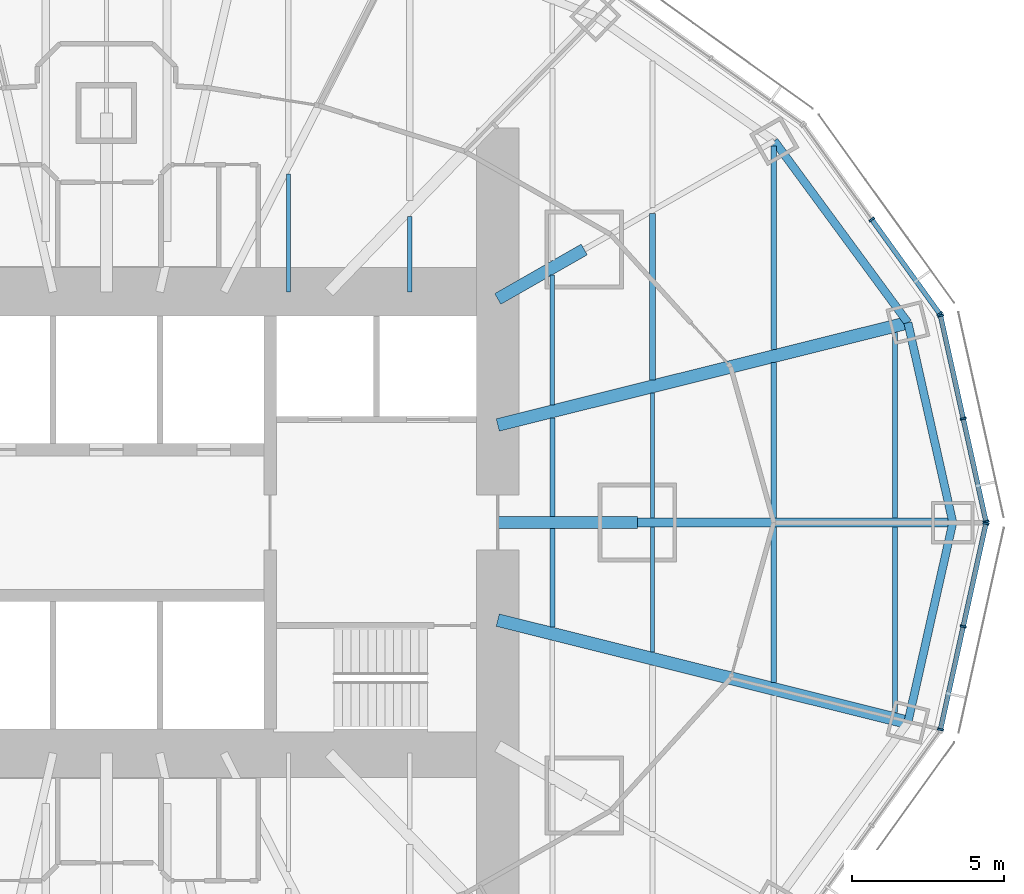
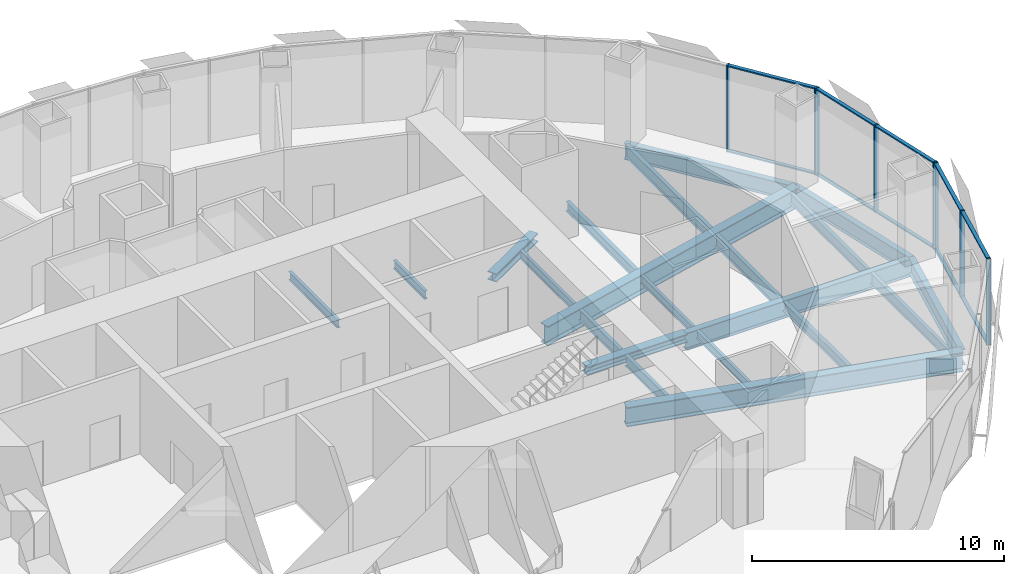
# One storey, part 6 of 18: 21 beams, 18 members, 3 elements without a shape of their own.
"""IFC4 building model written with IfcOpenShell, lengths in metres."""

import ifcopenshell
import ifcopenshell.guid

model = None  # the IFC model being written
_history = None  # IfcOwnerHistory: only IFC2X3 demands one
_inside = {}  # id of a spatial element -> (the spatial element, [elements in it])
_under = {}  # id of a project, library or spatial element -> (it, [spatial elements below it])
_declared = {}  # id of a project -> (the project, [libraries it declares])
_typed = {}  # id of a type object -> (the type object, [elements of that type])
_made_of = {}  # id of a material, layer set ... -> (it, [elements and type objects made of it])


def new_model(schema):
    """Start an empty IFC model of exactly this schema.

    Asked for "IFC4X3", IfcOpenShell would pick the latest addendum, in which some entities
    have other attributes; the version numbers below select the first issue.
    IFC2X3 requires an IfcOwnerHistory on every rooted entity: one is made here for all.
    """
    global model, _history
    if schema == "IFC4X3":
        model = ifcopenshell.file(schema_version=(4, 3, 0, 0))
    else:
        model = ifcopenshell.file(schema=schema)
    _inside.clear()
    _under.clear()
    _declared.clear()
    _typed.clear()
    _made_of.clear()
    _history = None
    if model.schema == "IFC2X3":
        org = make("IfcOrganization", Name="unknown")
        user = make(
            "IfcPersonAndOrganization",
            ThePerson=make("IfcPerson", FamilyName="unknown"),
            TheOrganization=org,
        )
        app = make(
            "IfcApplication",
            ApplicationDeveloper=org,
            Version="unknown",
            ApplicationFullName="unknown",
            ApplicationIdentifier="unknown",
        )
        _history = make(
            "IfcOwnerHistory",
            OwningUser=user,
            OwningApplication=app,
            ChangeAction="ADDED",
            CreationDate=0,
        )
    return model


def make(cls, **values):
    """One entity of the class cls with the attributes given. An attribute that is None is left unset."""
    return model.create_entity(
        cls, **{name: value for name, value in values.items() if value is not None}
    )


def rooted(cls, **values):
    """An entity with a GlobalId (a new one), such as an element, a storey or a relation."""
    return make(cls, GlobalId=ifcopenshell.guid.new(), OwnerHistory=_history, **values)


def si_unit(unit_type, name, prefix=None):
    """IfcSIUnit, for example si_unit("LENGTHUNIT", "METRE", prefix="MILLI")."""
    return make("IfcSIUnit", UnitType=unit_type, Prefix=prefix, Name=name)


def assignment(units):
    """IfcUnitAssignment: the units of a project."""
    return None if units is None else make("IfcUnitAssignment", Units=units)


def point(xyz):
    """IfcCartesianPoint."""
    return None if xyz is None else make("IfcCartesianPoint", Coordinates=xyz)


def direction(xyz):
    """IfcDirection."""
    return None if xyz is None else make("IfcDirection", DirectionRatios=xyz)


def frame(location, z_axis=None, x_axis=None):
    """IfcAxis2Placement3D, a coordinate frame: its origin and axes. An axis left out is left unset."""
    return make(
        "IfcAxis2Placement3D",
        Location=point(location),
        Axis=direction(z_axis),
        RefDirection=direction(x_axis),
    )


def frame_2d(location, x_axis=None):
    """IfcAxis2Placement2D, a coordinate frame in the plane: its origin and x axis."""
    return make(
        "IfcAxis2Placement2D", Location=point(location), RefDirection=direction(x_axis)
    )


def origin():
    """The frame at (0, 0, 0) with its axes left unset."""
    return frame((0.0, 0.0, 0.0))


def origin_2d():
    """The frame at (0, 0) in the plane with its x axis left unset."""
    return frame_2d((0.0, 0.0))


def place(relative_to, where):
    """IfcLocalPlacement: puts the frame where relative to a parent placement (None: the world)."""
    return make(
        "IfcLocalPlacement", PlacementRelTo=relative_to, RelativePlacement=where
    )


def context(
    kind, dimensions, precision=None, world=None, true_north=None, identifier=None
):
    """IfcGeometricRepresentationContext, for example the 3D "Model" context."""
    return make(
        "IfcGeometricRepresentationContext",
        ContextIdentifier=identifier,
        ContextType=kind,
        CoordinateSpaceDimension=dimensions,
        Precision=precision,
        WorldCoordinateSystem=world,
        TrueNorth=true_north,
    )


def subcontext(parent, identifier, kind, view, scale=None):
    """IfcGeometricRepresentationSubContext, for example "Body" below "Model"."""
    return make(
        "IfcGeometricRepresentationSubContext",
        ContextIdentifier=identifier,
        ContextType=kind,
        ParentContext=parent,
        TargetScale=scale,
        TargetView=view,
    )


def project(units=None, contexts=None):
    """IfcProject with its units and contexts."""
    return rooted(
        "IfcProject",
        Name="project",
        RepresentationContexts=contexts,
        UnitsInContext=assignment(units),
    )


def spatial(cls, under=None, at=None, **own):
    """A site, building, storey or space (cls), placed at a placement, below another one or the project."""
    s = rooted(cls, ObjectPlacement=at, **own)
    if under is not None:
        _under.setdefault(under.id(), (under, []))[1].append(s)
    return s


def profile(cls, at=None, kind="AREA", **sizes):
    """A parametric profile (cls). Its sizes go by their IFC names, for example OverallWidth=200.0."""
    return make(cls, ProfileType=kind, Position=at, **sizes)


def rectangle(**sizes):
    """IfcRectangleProfileDef."""
    return profile("IfcRectangleProfileDef", **sizes)


def i_section(**sizes):
    """IfcIShapeProfileDef."""
    return profile("IfcIShapeProfileDef", **sizes)


def extrude(swept, where, along, depth):
    """IfcExtrudedAreaSolid: the profile swept, set in the frame where, extruded along a direction by depth."""
    return make(
        "IfcExtrudedAreaSolid",
        SweptArea=swept,
        Position=where,
        ExtrudedDirection=direction(along),
        Depth=depth,
    )


def shape(context_of_items, identifier, shape_type, items):
    """IfcShapeRepresentation: the items that make up one representation, for example the "Body"."""
    return make(
        "IfcShapeRepresentation",
        ContextOfItems=context_of_items,
        RepresentationIdentifier=identifier,
        RepresentationType=shape_type,
        Items=items,
    )


def material(Name=None, Category=None):
    """IfcMaterial."""
    return make("IfcMaterial", Name=Name, Category=Category)


def material_profile(
    of_material, cross_section, Name=None, Category=None, Priority=None
):
    """IfcMaterialProfile: a cross section and its material."""
    return make(
        "IfcMaterialProfile",
        Name=Name,
        Material=of_material,
        Profile=cross_section,
        Priority=Priority,
        Category=Category,
    )


def profile_set(profiles, Name=None, composite=None):
    """IfcMaterialProfileSet."""
    return make(
        "IfcMaterialProfileSet",
        Name=Name,
        MaterialProfiles=profiles,
        CompositeProfile=composite,
    )


def made_of(thing, what):
    """Note that an element or type object is made of a material, layer set ...; save() writes the relation."""
    if what is not None:
        _made_of.setdefault(what.id(), (what, []))[1].append(thing)
    return thing


def type_object(cls, material=None, **own):
    """A type object (cls), such as IfcWallType, which elements share."""
    return made_of(rooted(cls, **own), material)


def element(
    cls,
    number,
    at=None,
    inside=None,
    cuts=None,
    type_object=None,
    material=None,
    context=None,
    identifier="Body",
    shape_type=None,
    held_by="IfcProductDefinitionShape",
    body=None,
    shapes=None,
    **own,
):
    """One element of the class cls, such as IfcWall. Its Tag is "e" and its number.

    at: its placement. inside: the storey or other place that contains it. cuts: it is an
    opening in that element (IfcRelVoidsElement). A single representation is given by context,
    identifier, shape_type and body (its items); several are given by shapes. held_by: the class
    of the entity that holds the representations. save() writes the other relations.
    """
    e = rooted(cls, Tag="e%d" % number, ObjectPlacement=at, **own)
    if body is not None:
        shapes = [shape(context, identifier, shape_type, body)]
    if shapes is not None:
        e.Representation = make(held_by, Representations=shapes)
    if inside is not None:
        _inside.setdefault(inside.id(), (inside, []))[1].append(e)
    if cuts is not None:
        rooted(
            "IfcRelVoidsElement", RelatingBuildingElement=cuts, RelatedOpeningElement=e
        )
    if type_object is not None:
        _typed.setdefault(type_object.id(), (type_object, []))[1].append(e)
    return made_of(e, material)


def aggregate(whole, parts):
    """IfcRelAggregates: a whole, such as a stair, and the parts it consists of."""
    return rooted("IfcRelAggregates", RelatingObject=whole, RelatedObjects=parts)


def save(model, path):
    """Write the relations noted so far, then the file.

    IfcRelAggregates (storeys below a building ...), IfcRelContainedInSpatialStructure (elements
    in a storey), IfcRelDefinesByType, IfcRelAssociatesMaterial and IfcRelDeclares: one each for
    every whole, place, type object, material and project.
    """
    for whole, parts in _under.values():
        aggregate(whole, parts)
    for where, things in _inside.values():
        rooted(
            "IfcRelContainedInSpatialStructure",
            RelatedElements=things,
            RelatingStructure=where,
        )
    for kind, things in _typed.values():
        rooted("IfcRelDefinesByType", RelatedObjects=things, RelatingType=kind)
    for what, things in _made_of.values():
        rooted("IfcRelAssociatesMaterial", RelatedObjects=things, RelatingMaterial=what)
    for by, libraries in _declared.values():
        rooted("IfcRelDeclares", RelatingContext=by, RelatedDefinitions=libraries)
    model.write(path)


model = new_model("IFC4")

# Units and contexts
model_context = context("Model", 3, precision=1e-05, world=origin(), true_north=direction((0.0, 1.0)))
body_context = subcontext(model_context, "Body", "Model", "MODEL_VIEW")
ifc_project = project(units=[si_unit("LENGTHUNIT", "METRE"), si_unit("AREAUNIT", "SQUARE_METRE"), si_unit("VOLUMEUNIT", "CUBIC_METRE"), si_unit("PLANEANGLEUNIT", "RADIAN"), si_unit("MASSUNIT", "GRAM", prefix="KILO")], contexts=[model_context])

# Site, building, storey
site_placement = place(None, origin())
site = spatial("IfcSite", under=ifc_project, at=site_placement, CompositionType="ELEMENT")
building_placement = place(site_placement, origin())
building = spatial("IfcBuilding", under=site, at=building_placement, Name="Lantaw Convention Tower", CompositionType="ELEMENT")
storey_placement = place(building_placement, frame((0.0, 0.0, 167.800048828125)))
storey = spatial("IfcBuildingStorey", under=building, at=storey_placement, Name="L39", CompositionType="ELEMENT", Elevation=167.800048828125)

# Beams
ifc_material_1 = material(Name="Steel ASTM A992", Category="steel")
ifc_material_profile_1 = material_profile(ifc_material_1, i_section(OverallWidth=0.2666015625, OverallDepth=0.76953125, WebThickness=0.015625, FlangeThickness=0.025390625, FilletRadius=0.0126953125, at=origin_2d()), Name="W30X132")
ifc_profile_set_1 = profile_set([ifc_material_profile_1], Name="Steel ASTM A992")
beam_type_1 = type_object("IfcBeamType", Name="Beam E W30X132", PredefinedType="SPANDREL", material=ifc_profile_set_1)
beam_1_placement = place(storey_placement, frame((27.89990234375, 0.0, -0.534912109375), z_axis=(-0.219211877447, 0.975677279015, 0.0), x_axis=(-0.975677279015, -0.219211877447, 0.0)))
element("IfcBeam", 1, at=beam_1_placement, inside=storey, type_object=beam_type_1, Name="Edge beam 1", PredefinedType="SPANDREL", context=body_context, shape_type="SweptSolid", body=[
    extrude(i_section(OverallWidth=0.2666015625, OverallDepth=0.76953125, WebThickness=0.015625, FlangeThickness=0.025390625, FilletRadius=0.0126953125, at=origin_2d()), origin(), (0.0, 0.0, 1.0), 6.75146484375),
])
beam_2_placement = place(storey_placement, frame((26.419921875, 6.587158203125, -0.534912109375), z_axis=(-0.5923891972, 0.805651934176, 0.0), x_axis=(-0.805651934176, -0.5923891972, 0.0)))
element("IfcBeam", 2, at=beam_2_placement, inside=storey, type_object=beam_type_1, Name="Edge beam 2", PredefinedType="SPANDREL", context=body_context, shape_type="SweptSolid", body=[
    extrude(i_section(OverallWidth=0.2666015625, OverallDepth=0.76953125, WebThickness=0.015625, FlangeThickness=0.025390625, FilletRadius=0.0126953125, at=origin_2d()), origin(), (0.0, 0.0, 1.0), 7.437744140625),
])
beam_3_placement = place(storey_placement, frame((26.419921875, -6.587158203125, -0.534912109375), z_axis=(0.219211877447, 0.975677279015, 0.0), x_axis=(-0.975677279015, 0.219211877447, 0.0)))
element("IfcBeam", 3, at=beam_3_placement, inside=storey, type_object=beam_type_1, Name="Edge beam 24", PredefinedType="SPANDREL", context=body_context, shape_type="SweptSolid", body=[
    extrude(i_section(OverallWidth=0.2666015625, OverallDepth=0.76953125, WebThickness=0.015625, FlangeThickness=0.025390625, FilletRadius=0.0126953125, at=origin_2d()), origin(), (0.0, 0.0, 1.0), 6.75146484375),
])
ifc_material_profile_2 = material_profile(ifc_material_1, i_section(OverallWidth=0.2919921875, OverallDepth=0.845703125, WebThickness=0.015380859375, FlangeThickness=0.0244140625, FilletRadius=0.01513671875, at=origin_2d()), Name="W33X141")
ifc_profile_set_2 = profile_set([ifc_material_profile_2], Name="Steel ASTM A992")
beam_type_2 = type_object("IfcBeamType", Name="Beam G W33X141", PredefinedType="BEAM", material=ifc_profile_set_2)
beam_4_placement = place(storey_placement, frame((17.5, 0.0, -0.572998046875), z_axis=(1.0, 0.0, 0.0), x_axis=(0.0, 1.0, 0.0)))
element("IfcBeam", 4, at=beam_4_placement, inside=storey, type_object=beam_type_2, Name="Floor girder on ray 1", PredefinedType="BEAM", context=body_context, shape_type="SweptSolid", body=[
    extrude(i_section(OverallWidth=0.2919921875, OverallDepth=0.845703125, WebThickness=0.015380859375, FlangeThickness=0.0244140625, FilletRadius=0.01513671875, at=origin_2d()), origin(), (0.0, 0.0, 1.0), 10.39990234375),
])
ifc_material_profile_3 = material_profile(ifc_material_1, i_section(OverallWidth=0.421630859375, OverallDepth=0.937255859375, WebThickness=0.0224609375, FlangeThickness=0.039794921875, FilletRadius=0.02001953125, at=origin_2d()), Name="W36X282")
ifc_profile_set_3 = profile_set([ifc_material_profile_3], Name="Steel ASTM A992")
beam_type_3 = type_object("IfcBeamType", Name="Beam G W36X282", PredefinedType="BEAM", material=ifc_profile_set_3)
for number, where, z_axis, x_axis, name in (
    (5, (12.89990234375, 3.21630859375, -0.61865234375), (0.970296903132, 0.24191717544, 0.0), (-0.24191717544, 0.970296903132, 0.0), "Floor girder on ray 2"),
    (6, (12.89990234375, -3.21630859375, -0.61865234375), (0.970296903132, -0.24191717544, 0.0), (0.24191717544, 0.970296903132, 0.0), "Floor girder on ray 24"),
):
    element("IfcBeam", number, at=place(storey_placement, frame(where, z_axis=z_axis, x_axis=x_axis)), inside=storey, type_object=beam_type_3, Name=name, PredefinedType="BEAM", context=body_context, shape_type="SweptSolid", body=[
        extrude(i_section(OverallWidth=0.421630859375, OverallDepth=0.937255859375, WebThickness=0.0224609375, FlangeThickness=0.039794921875, FilletRadius=0.02001953125, at=origin_2d()), origin(), (0.0, 0.0, 1.0), 13.933837890625),
    ])
ifc_material_profile_4 = material_profile(ifc_material_1, i_section(OverallWidth=0.40380859375, OverallDepth=0.406494140625, WebThickness=0.027099609375, FlangeThickness=0.043701171875, FilletRadius=0.01513671875, at=origin_2d()), Name="W14X233")
ifc_profile_set_4 = profile_set([ifc_material_profile_4], Name="Steel ASTM A992")
beam_type_4 = type_object("IfcBeamType", Name="Beam GM W14X233", PredefinedType="BEAM", material=ifc_profile_set_4)
beam_5_placement = place(storey_placement, frame((12.89990234375, 0.0, -0.353271484375), z_axis=(1.0, 0.0, 0.0), x_axis=(0.0, 1.0, 0.0)))
element("IfcBeam", 7, at=beam_5_placement, inside=storey, type_object=beam_type_4, Name="Core link beam on ray 1", PredefinedType="BEAM", context=body_context, shape_type="SweptSolid", body=[
    extrude(i_section(OverallWidth=0.40380859375, OverallDepth=0.406494140625, WebThickness=0.027099609375, FlangeThickness=0.043701171875, FilletRadius=0.01513671875, at=origin_2d()), origin(), (0.0, 0.0, 1.0), 4.60009765625),
])
beam_6_placement = place(storey_placement, frame((12.89990234375, 7.371337890625, -0.353271484375), z_axis=(0.868238565244, 0.496146947811, 0.0), x_axis=(-0.496146947811, 0.868238565244, 0.0)))
element("IfcBeam", 8, at=beam_6_placement, inside=storey, type_object=beam_type_4, Name="Core link beam on ray 3", PredefinedType="BEAM", context=body_context, shape_type="SweptSolid", body=[
    extrude(i_section(OverallWidth=0.40380859375, OverallDepth=0.406494140625, WebThickness=0.027099609375, FlangeThickness=0.043701171875, FilletRadius=0.01513671875, at=origin_2d()), origin(), (0.0, 0.0, 1.0), 3.28271484375),
])
ifc_material_profile_5 = material_profile(ifc_material_1, i_section(OverallWidth=0.140380859375, OverallDepth=0.40380859375, WebThickness=0.007080078125, FlangeThickness=0.01123046875, FilletRadius=0.01025390625, at=origin_2d()), Name="W16X31")
ifc_profile_set_5 = profile_set([ifc_material_profile_5], Name="Steel ASTM A992")
beam_type_5 = type_object("IfcBeamType", Name="Beam J W16X31", PredefinedType="JOIST", material=ifc_profile_set_5)
beam_7_placement = place(storey_placement, frame((6.0, 7.60009765625, -0.35205078125), z_axis=(0.0, 1.0, 0.0), x_axis=(-1.0, 0.0, 0.0)))
element("IfcBeam", 9, at=beam_7_placement, inside=storey, type_object=beam_type_5, Name="Floor joist", PredefinedType="JOIST", context=body_context, shape_type="SweptSolid", body=[
    extrude(i_section(OverallWidth=0.140380859375, OverallDepth=0.40380859375, WebThickness=0.007080078125, FlangeThickness=0.01123046875, FilletRadius=0.01025390625, at=origin_2d()), origin(), (0.0, 0.0, 1.0), 3.895751953125),
])
beam_8_placement = place(storey_placement, frame((10.0, 7.60009765625, -0.35205078125), z_axis=(0.0, 1.0, 0.0), x_axis=(-1.0, 0.0, 0.0)))
element("IfcBeam", 10, at=beam_8_placement, inside=storey, type_object=beam_type_5, Name="Floor joist", PredefinedType="JOIST", context=body_context, shape_type="SweptSolid", body=[
    extrude(i_section(OverallWidth=0.140380859375, OverallDepth=0.40380859375, WebThickness=0.007080078125, FlangeThickness=0.01123046875, FilletRadius=0.01025390625, at=origin_2d()), origin(), (0.0, 0.0, 1.0), 2.49560546875),
])
beam_9_placement = place(storey_placement, frame((14.699951171875, 3.88232421875, -0.35205078125), z_axis=(0.0, 1.0, 0.0), x_axis=(-1.0, 0.0, 0.0)))
element("IfcBeam", 11, at=beam_9_placement, inside=storey, type_object=beam_type_5, Name="Floor joist", PredefinedType="JOIST", context=body_context, shape_type="SweptSolid", body=[
    extrude(i_section(OverallWidth=0.140380859375, OverallDepth=0.40380859375, WebThickness=0.007080078125, FlangeThickness=0.01123046875, FilletRadius=0.01025390625, at=origin_2d()), origin(), (0.0, 0.0, 1.0), 4.28515625),
])
for number, where, z_axis, x_axis, name in (
    (12, (18.0, -4.270751953125, -0.35205078125), (0.0, 1.0, 0.0), (-1.0, 0.0, 0.0), "Floor joist"),
    (13, (18.0, 0.14599609375, -0.35205078125), (0.0, 1.0, 0.0), (-1.0, 0.0, 0.0), "Floor joist"),
):
    element("IfcBeam", number, at=place(storey_placement, frame(where, z_axis=z_axis, x_axis=x_axis)), inside=storey, type_object=beam_type_5, Name=name, PredefinedType="JOIST", context=body_context, shape_type="SweptSolid", body=[
        extrude(i_section(OverallWidth=0.140380859375, OverallDepth=0.40380859375, WebThickness=0.007080078125, FlangeThickness=0.01123046875, FilletRadius=0.01025390625, at=origin_2d()), origin(), (0.0, 0.0, 1.0), 4.124755859375),
    ])
ifc_material_profile_6 = material_profile(ifc_material_1, i_section(OverallWidth=0.1904296875, OverallDepth=0.457275390625, WebThickness=0.009033203125, FlangeThickness=0.014404296875, FilletRadius=0.01025390625, at=origin_2d()), Name="W18X50")
ifc_profile_set_6 = profile_set([ifc_material_profile_6], Name="Steel ASTM A992")
beam_type_6 = type_object("IfcBeamType", Name="Beam J W18X50", PredefinedType="JOIST", material=ifc_profile_set_6)
beam_10_placement = place(storey_placement, frame((18.0, 4.705078125, -0.378662109375), z_axis=(0.0, 1.0, 0.0), x_axis=(-1.0, 0.0, 0.0)))
element("IfcBeam", 14, at=beam_10_placement, inside=storey, type_object=beam_type_6, Name="Floor joist", PredefinedType="JOIST", context=body_context, shape_type="SweptSolid", body=[
    extrude(i_section(OverallWidth=0.1904296875, OverallDepth=0.457275390625, WebThickness=0.009033203125, FlangeThickness=0.014404296875, FilletRadius=0.01025390625, at=origin_2d()), origin(), (0.0, 0.0, 1.0), 5.47802734375),
])
beam_11_placement = place(storey_placement, frame((22.0, -5.267822265625, -0.378662109375), z_axis=(0.0, 1.0, 0.0), x_axis=(-1.0, 0.0, 0.0)))
element("IfcBeam", 15, at=beam_11_placement, inside=storey, type_object=beam_type_6, Name="Floor joist", PredefinedType="JOIST", context=body_context, shape_type="SweptSolid", body=[
    extrude(i_section(OverallWidth=0.1904296875, OverallDepth=0.457275390625, WebThickness=0.009033203125, FlangeThickness=0.014404296875, FilletRadius=0.01025390625, at=origin_2d()), origin(), (0.0, 0.0, 1.0), 5.121826171875),
])
ifc_material_profile_7 = material_profile(ifc_material_1, i_section(OverallWidth=0.1650390625, OverallDepth=0.52587890625, WebThickness=0.0087890625, FlangeThickness=0.011474609375, FilletRadius=0.0126953125, at=origin_2d()), Name="W21X44")
ifc_profile_set_7 = profile_set([ifc_material_profile_7], Name="Steel ASTM A992")
beam_type_7 = type_object("IfcBeamType", Name="Beam J W21X44", PredefinedType="JOIST", material=ifc_profile_set_7)
for number, where, z_axis, x_axis, name in (
    (16, (26.0, -6.26513671875, -0.412841796875), (0.0, 1.0, 0.0), (-1.0, 0.0, 0.0), "Floor joist"),
    (17, (26.0, 0.14599609375, -0.412841796875), (0.0, 1.0, 0.0), (-1.0, 0.0, 0.0), "Floor joist"),
):
    element("IfcBeam", number, at=place(storey_placement, frame(where, z_axis=z_axis, x_axis=x_axis)), inside=storey, type_object=beam_type_7, Name=name, PredefinedType="JOIST", context=body_context, shape_type="SweptSolid", body=[
        extrude(i_section(OverallWidth=0.1650390625, OverallDepth=0.52587890625, WebThickness=0.0087890625, FlangeThickness=0.011474609375, FilletRadius=0.0126953125, at=origin_2d()), origin(), (0.0, 0.0, 1.0), 6.119140625),
    ])
ifc_material_profile_8 = material_profile(ifc_material_1, i_section(OverallWidth=0.165771484375, OverallDepth=0.5283203125, WebThickness=0.009765625, FlangeThickness=0.013671875, FilletRadius=0.012939453125, at=origin_2d()), Name="W21X50")
ifc_profile_set_8 = profile_set([ifc_material_profile_8], Name="Steel ASTM A992")
beam_type_8 = type_object("IfcBeamType", Name="Beam J W21X50", PredefinedType="JOIST", material=ifc_profile_set_8)
for number, where, z_axis, x_axis, name in (
    (18, (14.699951171875, -3.44775390625, -0.414306640625), (0.0, 1.0, 0.0), (-1.0, 0.0, 0.0), "Floor joist"),
    (19, (14.699951171875, 0.201904296875, -0.414306640625), (0.0, 1.0, 0.0), (-1.0, 0.0, 0.0), "Floor joist"),
):
    element("IfcBeam", number, at=place(storey_placement, frame(where, z_axis=z_axis, x_axis=x_axis)), inside=storey, type_object=beam_type_8, Name=name, PredefinedType="JOIST", context=body_context, shape_type="SweptSolid", body=[
        extrude(i_section(OverallWidth=0.165771484375, OverallDepth=0.5283203125, WebThickness=0.009765625, FlangeThickness=0.013671875, FilletRadius=0.012939453125, at=origin_2d()), origin(), (0.0, 0.0, 1.0), 3.245849609375),
    ])
ifc_material_profile_9 = material_profile(ifc_material_1, i_section(OverallWidth=0.177978515625, OverallDepth=0.599365234375, WebThickness=0.010009765625, FlangeThickness=0.012939453125, FilletRadius=0.012939453125, at=origin_2d()), Name="W24X55")
ifc_profile_set_9 = profile_set([ifc_material_profile_9], Name="Steel ASTM A992")
beam_type_9 = type_object("IfcBeamType", Name="Beam J W24X55", PredefinedType="JOIST", material=ifc_profile_set_9)
beam_12_placement = place(storey_placement, frame((22.0, 0.14599609375, -0.44970703125), z_axis=(0.0, 1.0, 0.0), x_axis=(-1.0, 0.0, 0.0)))
element("IfcBeam", 20, at=beam_12_placement, inside=storey, type_object=beam_type_9, Name="Floor joist", PredefinedType="JOIST", context=body_context, shape_type="SweptSolid", body=[
    extrude(i_section(OverallWidth=0.177978515625, OverallDepth=0.599365234375, WebThickness=0.010009765625, FlangeThickness=0.012939453125, FilletRadius=0.012939453125, at=origin_2d()), origin(), (0.0, 0.0, 1.0), 5.121826171875),
])
beam_13_placement = place(storey_placement, frame((22.0, 5.702392578125, -0.44970703125), z_axis=(0.0, 1.0, 0.0), x_axis=(-1.0, 0.0, 0.0)))
element("IfcBeam", 21, at=beam_13_placement, inside=storey, type_object=beam_type_9, Name="Floor joist", PredefinedType="JOIST", context=body_context, shape_type="SweptSolid", body=[
    extrude(i_section(OverallWidth=0.177978515625, OverallDepth=0.599365234375, WebThickness=0.010009765625, FlangeThickness=0.012939453125, FilletRadius=0.012939453125, at=origin_2d()), origin(), (0.0, 0.0, 1.0), 6.70654296875),
])

# Curtain wall, members
ifc_material_2 = material(Name="Aluminium framed curtain wall", Category="aluminium")
curtain_wall_type = type_object("IfcCurtainWallType", Name="Office curtain wall low rise, pale aluminium", PredefinedType="USERDEFINED", material=ifc_material_2)
curtain_wall_1_placement = place(storey_placement, origin())
curtain_wall_1 = element("IfcCurtainWall", 22, at=curtain_wall_1_placement, inside=storey, type_object=curtain_wall_type, Name="Office curtain wall low rise, pale aluminium L39", ObjectType="UNITISED CURTAIN WALL", PredefinedType="USERDEFINED")
ifc_material_3 = material(Name="Aluminium 6063-T6", Category="aluminium")
ifc_material_profile_10 = material_profile(ifc_material_3, rectangle(XDim=0.199951171875, YDim=0.06494140625, at=origin_2d()), Name="CW-O1 mullion 65x200")
ifc_profile_set_10 = profile_set([ifc_material_profile_10], Name="Aluminium 6063-T6")
member_type_1 = type_object("IfcMemberType", Name="CW-O1 mullion 65x200", PredefinedType="MULLION", material=ifc_profile_set_10)
member_1_placement = place(storey_placement, frame((28.992919921875, 0.03173828125, -0.150146484375), z_axis=(0.0, 0.0, 1.0), x_axis=(-0.9764936509, -0.215546166174, 0.0)))
member_1 = element("IfcMember", 23, at=member_1_placement, type_object=member_type_1, Name="CW-O1 mullion 1", PredefinedType="MULLION", context=body_context, shape_type="SweptSolid", body=[
    extrude(rectangle(XDim=0.199951171875, YDim=0.06494140625, at=origin_2d()), origin(), (0.0, 0.0, 1.0), 4.2001953125),
])
member_2_placement = place(storey_placement, frame((28.24365234375, 3.4267578125, -0.150146484375), z_axis=(0.0, 0.0, 1.0), x_axis=(-0.9764936509, -0.215546166174, 0.0)))
member_2 = element("IfcMember", 24, at=member_2_placement, type_object=member_type_1, Name="CW-O1 mullion 2", PredefinedType="MULLION", context=body_context, shape_type="SweptSolid", body=[
    extrude(rectangle(XDim=0.199951171875, YDim=0.06494140625, at=origin_2d()), origin(), (0.0, 0.0, 1.0), 4.2001953125),
])
member_3_placement = place(storey_placement, frame((27.494140625, 6.821533203125, -0.150146484375), z_axis=(0.0, 0.0, 1.0), x_axis=(-0.9764936509, -0.215546166174, 0.0)))
member_3 = element("IfcMember", 25, at=member_3_placement, type_object=member_type_1, Name="CW-O1 mullion 3", PredefinedType="MULLION", context=body_context, shape_type="SweptSolid", body=[
    extrude(rectangle(XDim=0.199951171875, YDim=0.06494140625, at=origin_2d()), origin(), (0.0, 0.0, 1.0), 4.2001953125),
])

curtain_wall_2_placement = place(storey_placement, origin())
curtain_wall_2 = element("IfcCurtainWall", 26, at=curtain_wall_2_placement, inside=storey, type_object=curtain_wall_type, Name="Office curtain wall low rise, pale aluminium L39", ObjectType="UNITISED CURTAIN WALL", PredefinedType="USERDEFINED")
member_4_placement = place(storey_placement, frame((27.46826171875, 6.879638671875, -0.150146484375), z_axis=(0.0, 0.0, 1.0), x_axis=(-0.811384633629, -0.584512597221, 0.0)))
member_4 = element("IfcMember", 27, at=member_4_placement, type_object=member_type_1, Name="CW-O1 mullion 1", PredefinedType="MULLION", context=body_context, shape_type="SweptSolid", body=[
    extrude(rectangle(XDim=0.199951171875, YDim=0.06494140625, at=origin_2d()), origin(), (0.0, 0.0, 1.0), 4.2001953125),
])
member_5_placement = place(storey_placement, frame((25.22802734375, 9.9892578125, -0.150146484375), z_axis=(0.0, 0.0, 1.0), x_axis=(-0.811384633629, -0.584512597221, 0.0)))
member_5 = element("IfcMember", 28, at=member_5_placement, type_object=member_type_1, Name="CW-O1 mullion 2", PredefinedType="MULLION", context=body_context, shape_type="SweptSolid", body=[
    extrude(rectangle(XDim=0.199951171875, YDim=0.06494140625, at=origin_2d()), origin(), (0.0, 0.0, 1.0), 4.2001953125),
])

curtain_wall_3_placement = place(storey_placement, origin())
curtain_wall_3 = element("IfcCurtainWall", 29, at=curtain_wall_3_placement, inside=storey, type_object=curtain_wall_type, Name="Office curtain wall low rise, pale aluminium L39", ObjectType="UNITISED CURTAIN WALL", PredefinedType="USERDEFINED")
member_6_placement = place(storey_placement, frame((27.494140625, -6.821533203125, -0.150146484375), z_axis=(0.0, 0.0, 1.0), x_axis=(-0.9764936509, 0.215546166174, 0.0)))
member_6 = element("IfcMember", 30, at=member_6_placement, type_object=member_type_1, Name="CW-O1 mullion 1", PredefinedType="MULLION", context=body_context, shape_type="SweptSolid", body=[
    extrude(rectangle(XDim=0.199951171875, YDim=0.06494140625, at=origin_2d()), origin(), (0.0, 0.0, 1.0), 4.2001953125),
])
member_7_placement = place(storey_placement, frame((28.24365234375, -3.4267578125, -0.150146484375), z_axis=(0.0, 0.0, 1.0), x_axis=(-0.9764936509, 0.215546166174, 0.0)))
member_7 = element("IfcMember", 31, at=member_7_placement, type_object=member_type_1, Name="CW-O1 mullion 2", PredefinedType="MULLION", context=body_context, shape_type="SweptSolid", body=[
    extrude(rectangle(XDim=0.199951171875, YDim=0.06494140625, at=origin_2d()), origin(), (0.0, 0.0, 1.0), 4.2001953125),
])
member_8_placement = place(storey_placement, frame((28.992919921875, -0.03173828125, -0.150146484375), z_axis=(0.0, 0.0, 1.0), x_axis=(-0.9764936509, 0.215546166174, 0.0)))
member_8 = element("IfcMember", 32, at=member_8_placement, type_object=member_type_1, Name="CW-O1 mullion 3", PredefinedType="MULLION", context=body_context, shape_type="SweptSolid", body=[
    extrude(rectangle(XDim=0.199951171875, YDim=0.06494140625, at=origin_2d()), origin(), (0.0, 0.0, 1.0), 4.2001953125),
])

# Member
ifc_material_profile_11 = material_profile(ifc_material_3, rectangle(XDim=0.159912109375, YDim=0.06494140625, at=origin_2d()), Name="CW-O1 transom 65x160")
ifc_profile_set_11 = profile_set([ifc_material_profile_11], Name="Aluminium 6063-T6")
member_type_2 = type_object("IfcMemberType", Name="CW-O1 transom 65x160", PredefinedType="USERDEFINED", material=ifc_profile_set_11)
member_9_placement = place(storey_placement, frame((28.986083984375, 0.0634765625, -0.117431640625), z_axis=(-0.215536096386, 0.976495873598, 0.0), x_axis=(-0.976495873598, -0.215536096386, 0.0)))
member_9 = element("IfcMember", 33, at=member_9_placement, type_object=member_type_2, Name="CW-O1 transom 1.1", ObjectType="TRANSOM", PredefinedType="USERDEFINED", context=body_context, shape_type="SweptSolid", body=[
    extrude(rectangle(XDim=0.159912109375, YDim=0.06494140625, at=origin_2d()), origin(), (0.0, 0.0, 1.0), 3.41162109375),
])

member_10_placement = place(storey_placement, frame((28.986083984375, 0.0634765625, 4.017333984375), z_axis=(-0.215536096386, 0.976495873598, 0.0), x_axis=(-0.976495873598, -0.215536096386, 0.0)))
member_10 = element("IfcMember", 34, at=member_10_placement, type_object=member_type_2, Name="CW-O1 transom 1.2", ObjectType="TRANSOM", PredefinedType="USERDEFINED", context=body_context, shape_type="SweptSolid", body=[
    extrude(rectangle(XDim=0.159912109375, YDim=0.06494140625, at=origin_2d()), origin(), (0.0, 0.0, 1.0), 3.41162109375),
])

member_11_placement = place(storey_placement, frame((28.236572265625, 3.45849609375, -0.117431640625), z_axis=(-0.21555115847, 0.976492548913, 0.0), x_axis=(-0.976492548913, -0.21555115847, 0.0)))
member_11 = element("IfcMember", 35, at=member_11_placement, type_object=member_type_2, Name="CW-O1 transom 2.1", ObjectType="TRANSOM", PredefinedType="USERDEFINED", context=body_context, shape_type="SweptSolid", body=[
    extrude(rectangle(XDim=0.159912109375, YDim=0.06494140625, at=origin_2d()), origin(), (0.0, 0.0, 1.0), 3.411376953125),
])

member_12_placement = place(storey_placement, frame((28.236572265625, 3.45849609375, 4.017333984375), z_axis=(-0.21555115847, 0.976492548913, 0.0), x_axis=(-0.976492548913, -0.21555115847, 0.0)))
member_12 = element("IfcMember", 36, at=member_12_placement, type_object=member_type_2, Name="CW-O1 transom 2.2", ObjectType="TRANSOM", PredefinedType="USERDEFINED", context=body_context, shape_type="SweptSolid", body=[
    extrude(rectangle(XDim=0.159912109375, YDim=0.06494140625, at=origin_2d()), origin(), (0.0, 0.0, 1.0), 3.411376953125),
])

aggregate(curtain_wall_1, [member_1, member_2, member_3, member_9, member_10, member_11, member_12])

member_13_placement = place(storey_placement, frame((27.44921875, 6.906005859375, -0.117431640625), z_axis=(-0.584512973979, 0.811384362217, 0.0), x_axis=(-0.811384362217, -0.584512973979, 0.0)))
member_13 = element("IfcMember", 37, at=member_13_placement, type_object=member_type_2, Name="CW-O1 transom 1.1", ObjectType="TRANSOM", PredefinedType="USERDEFINED", context=body_context, shape_type="SweptSolid", body=[
    extrude(rectangle(XDim=0.159912109375, YDim=0.06494140625, at=origin_2d()), origin(), (0.0, 0.0, 1.0), 3.767578125),
])

member_14_placement = place(storey_placement, frame((27.44921875, 6.906005859375, 4.017333984375), z_axis=(-0.584512973979, 0.811384362217, 0.0), x_axis=(-0.811384362217, -0.584512973979, 0.0)))
member_14 = element("IfcMember", 38, at=member_14_placement, type_object=member_type_2, Name="CW-O1 transom 1.2", ObjectType="TRANSOM", PredefinedType="USERDEFINED", context=body_context, shape_type="SweptSolid", body=[
    extrude(rectangle(XDim=0.159912109375, YDim=0.06494140625, at=origin_2d()), origin(), (0.0, 0.0, 1.0), 3.767578125),
])

aggregate(curtain_wall_2, [member_4, member_5, member_13, member_14])

member_15_placement = place(storey_placement, frame((27.501220703125, -6.789794921875, -0.117431640625), z_axis=(0.21555115847, 0.976492548913, 0.0), x_axis=(-0.976492548913, 0.21555115847, 0.0)))
member_15 = element("IfcMember", 39, at=member_15_placement, type_object=member_type_2, Name="CW-O1 transom 1.1", ObjectType="TRANSOM", PredefinedType="USERDEFINED", context=body_context, shape_type="SweptSolid", body=[
    extrude(rectangle(XDim=0.159912109375, YDim=0.06494140625, at=origin_2d()), origin(), (0.0, 0.0, 1.0), 3.411376953125),
])

member_16_placement = place(storey_placement, frame((27.501220703125, -6.789794921875, 4.017333984375), z_axis=(0.21555115847, 0.976492548913, 0.0), x_axis=(-0.976492548913, 0.21555115847, 0.0)))
member_16 = element("IfcMember", 40, at=member_16_placement, type_object=member_type_2, Name="CW-O1 transom 1.2", ObjectType="TRANSOM", PredefinedType="USERDEFINED", context=body_context, shape_type="SweptSolid", body=[
    extrude(rectangle(XDim=0.159912109375, YDim=0.06494140625, at=origin_2d()), origin(), (0.0, 0.0, 1.0), 3.411376953125),
])

member_17_placement = place(storey_placement, frame((28.250732421875, -3.39501953125, -0.117431640625), z_axis=(0.215536096386, 0.976495873598, 0.0), x_axis=(-0.976495873598, 0.215536096386, 0.0)))
member_17 = element("IfcMember", 41, at=member_17_placement, type_object=member_type_2, Name="CW-O1 transom 2.1", ObjectType="TRANSOM", PredefinedType="USERDEFINED", context=body_context, shape_type="SweptSolid", body=[
    extrude(rectangle(XDim=0.159912109375, YDim=0.06494140625, at=origin_2d()), origin(), (0.0, 0.0, 1.0), 3.41162109375),
])

member_18_placement = place(storey_placement, frame((28.250732421875, -3.39501953125, 4.017333984375), z_axis=(0.215536096386, 0.976495873598, 0.0), x_axis=(-0.976495873598, 0.215536096386, 0.0)))
member_18 = element("IfcMember", 42, at=member_18_placement, type_object=member_type_2, Name="CW-O1 transom 2.2", ObjectType="TRANSOM", PredefinedType="USERDEFINED", context=body_context, shape_type="SweptSolid", body=[
    extrude(rectangle(XDim=0.159912109375, YDim=0.06494140625, at=origin_2d()), origin(), (0.0, 0.0, 1.0), 3.41162109375),
])

aggregate(curtain_wall_3, [member_6, member_7, member_8, member_15, member_16, member_17, member_18])

save(model, "model.ifc")
